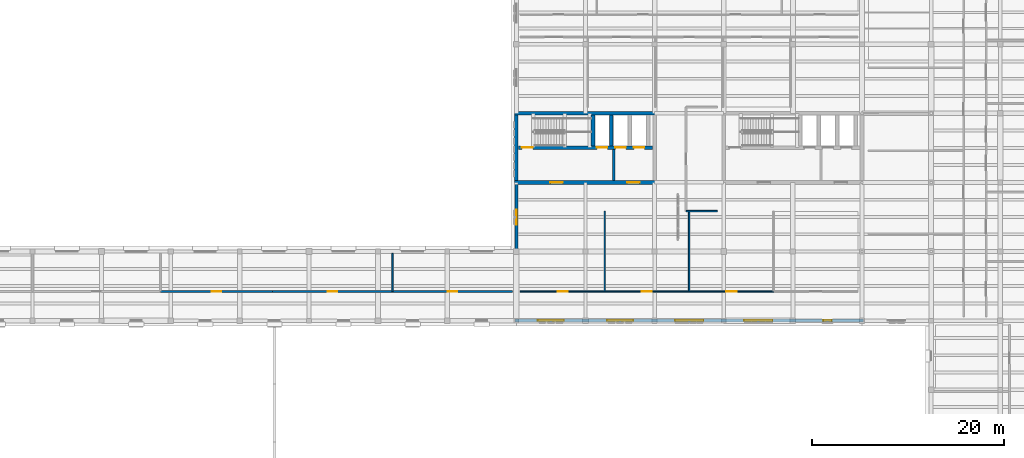
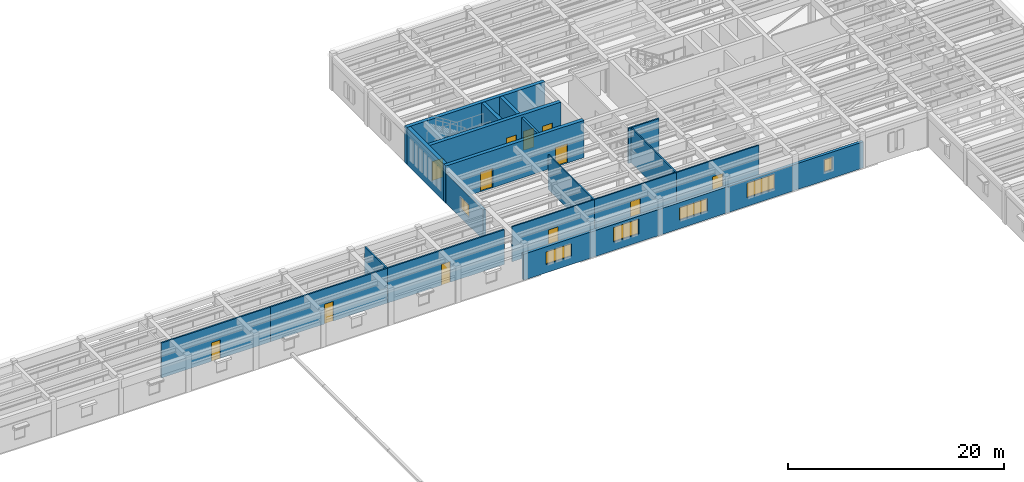
# One storey, part 15 of 27: 19 walls, 12 doors, 6 windows, 18 openings.
"""IFC4 building model written with IfcOpenShell, lengths in metres."""

from ifc_helpers import new_model, si_unit, direction, frame, frame_2d, origin, place, context, subcontext, project, spatial, rectangle, extrude, material, layer, layer_set, type_object, element, fill, save


model = new_model("IFC4")

# Units and contexts
model_context = context("Model", 3, precision=1e-05, world=origin(), true_north=direction((0.0, 1.0)))
body_context = subcontext(model_context, "Body", "Model", "MODEL_VIEW")
ifc_project = project(units=[si_unit("LENGTHUNIT", "METRE"), si_unit("AREAUNIT", "SQUARE_METRE"), si_unit("VOLUMEUNIT", "CUBIC_METRE"), si_unit("PLANEANGLEUNIT", "RADIAN"), si_unit("MASSUNIT", "GRAM", prefix="KILO")], contexts=[model_context])

# Site, building, storey
site_placement = place(None, origin())
site = spatial("IfcSite", under=ifc_project, at=site_placement, CompositionType="ELEMENT")
building_placement = place(site_placement, origin())
building = spatial("IfcBuilding", under=site, at=building_placement, Name="Mithqara Police Headquarters", CompositionType="ELEMENT")
storey_placement = place(building_placement, frame((0.0, 0.0, 18.0)))
storey = spatial("IfcBuildingStorey", under=building, at=storey_placement, Name="L04", CompositionType="ELEMENT", Elevation=18.0)

# Wall
ifc_material_1 = material(Name="Concrete C40/50", Category="concrete")
ifc_layer_1 = layer(ifc_material_1, 0.239990234375, Name="Concrete C40/50")
ifc_layer_set_1 = layer_set([ifc_layer_1], Name="Concrete C40/50")
wall_type_1 = type_object("IfcWallType", Name="CORE LOBBY WALL 240", PredefinedType="SOLIDWALL", material=ifc_layer_set_1)
wall_1_placement = place(storey_placement, frame((118.72998046875, 93.18994140625, 0.0), z_axis=(0.0, 0.0, 1.0), x_axis=(0.0, 1.0, 0.0)))
element("IfcWall", 1, at=wall_1_placement, inside=storey, type_object=wall_type_1, Name="Core C1 Command West Firefighting Lobby Separation Wall L04", PredefinedType="SOLIDWALL", context=body_context, shape_type="SweptSolid", body=[
    extrude(rectangle(XDim=3.239990234375, YDim=0.239990234375, at=frame_2d((1.6201171875, 0.0))), origin(), (0.0, 0.0, 1.0), 3.909912109375),
])

# Wall, opening, window
ifc_material_2 = material(Name="Ochre masonry cavity wall, 35 MPa", Category="masonry")
ifc_layer_2 = layer(ifc_material_2, 0.300048828125, Name="Ochre masonry cavity wall, 35 MPa")
ifc_layer_set_2 = layer_set([ifc_layer_2], Name="Ochre masonry cavity wall, 35 MPa")
wall_type_2 = type_object("IfcWallType", Name="EXT WALL OCHRE BRICK300", PredefinedType="SOLIDWALL", material=ifc_layer_set_2)
wall_2_placement = place(storey_placement, frame((108.60009765625, 92.81005859375, 0.0), z_axis=(0.0, 0.0, 1.0), x_axis=(0.0, -1.0, 0.0)))
wall_2 = element("IfcWall", 2, at=wall_2_placement, inside=storey, type_object=wall_type_2, Name="L04 Exterior Wall 7.2", PredefinedType="SOLIDWALL", context=body_context, shape_type="SweptSolid", body=[
    extrude(rectangle(XDim=6.860107421875, YDim=0.300048828125, at=frame_2d((3.43017578125, 0.0))), origin(), (0.0, 0.0, 1.0), 3.389892578125),
])
opening_1_placement = place(wall_2_placement, frame((2.6298828125, 0.0, 0.949951171875)))
opening_1 = element("IfcOpeningElement", 3, at=opening_1_placement, cuts=wall_2, Name="Opening W-26", PredefinedType="OPENING", context=body_context, shape_type="SweptSolid", body=[
    extrude(rectangle(XDim=1.60009765625, YDim=1.39990234375, at=frame_2d((0.800048828125, 0.699951171875))), frame((0.0, 0.16015625, 0.0), z_axis=(0.0, -1.0, 0.0), x_axis=(1.0, 0.0, 0.0)), (0.0, 0.0, 1.0), 0.320068359375),
])
ifc_material_3 = material(Name="Spectrally selective double low-e glass", Category="glass")
window_type_1 = type_object("IfcWindowType", Name="WINDOW 1600X1400", PartitioningType="SINGLE_PANEL", PredefinedType="WINDOW", material=ifc_material_3)
window_1_placement = place(opening_1_placement, origin())
window_1 = element("IfcWindow", 4, at=window_1_placement, inside=storey, type_object=window_type_1, Name="L04 Command Block Screened Window 7.1", OverallHeight=1.39990234375, OverallWidth=1.60009765625, PartitioningType="SINGLE_PANEL", PredefinedType="WINDOW", context=body_context, shape_type="SweptSolid", body=[
    extrude(rectangle(XDim=1.60009765625, YDim=1.39990234375, at=frame_2d((0.800048828125, 0.699951171875))), frame((0.0, 0.030029296875, 0.0), z_axis=(0.0, -1.0, 0.0), x_axis=(1.0, 0.0, 0.0)), (0.0, 0.0, 1.0), 0.06005859375),
])
fill(opening_1, window_1)

# Wall, openings, windows
wall_3_placement = place(storey_placement, frame((108.449951171875, 78.60009765625, 0.0), z_axis=(0.0, 0.0, 1.0), x_axis=(1.0, 0.0, 0.0)))
wall_3 = element("IfcWall", 5, at=wall_3_placement, inside=storey, type_object=wall_type_2, Name="L04 Exterior Wall 14.1", PredefinedType="SOLIDWALL", context=body_context, shape_type="SweptSolid", body=[
    extrude(rectangle(XDim=36.300048828125, YDim=0.300048828125, at=frame_2d((18.14990234375, 0.0))), origin(), (0.0, 0.0, 1.0), 2.93994140625),
])
opening_2_placement = place(wall_3_placement, frame((2.39990234375, 0.0, 0.949951171875)))
opening_2 = element("IfcOpeningElement", 6, at=opening_2_placement, cuts=wall_3, Name="Opening W-51", PredefinedType="OPENING", context=body_context, shape_type="SweptSolid", body=[
    extrude(rectangle(XDim=2.699951171875, YDim=1.39990234375, at=frame_2d((1.35009765625, 0.699951171875))), frame((0.0, 0.16015625, 0.0), z_axis=(0.0, -1.0, 0.0), x_axis=(1.0, 0.0, 0.0)), (0.0, 0.0, 1.0), 0.320068359375),
])
opening_3_placement = place(wall_3_placement, frame((9.60009765625, 0.0, 0.949951171875)))
opening_3 = element("IfcOpeningElement", 7, at=opening_3_placement, cuts=wall_3, Name="Opening W-52", PredefinedType="OPENING", context=body_context, shape_type="SweptSolid", body=[
    extrude(rectangle(XDim=2.699951171875, YDim=1.64990234375, at=frame_2d((1.35009765625, 0.824951171875))), frame((0.0, 0.16015625, 0.0), z_axis=(0.0, -1.0, 0.0), x_axis=(1.0, 0.0, 0.0)), (0.0, 0.0, 1.0), 0.320068359375),
])
opening_4_placement = place(wall_3_placement, frame((16.675048828125, 0.0, 0.949951171875)))
opening_4 = element("IfcOpeningElement", 8, at=opening_4_placement, cuts=wall_3, Name="Opening W-56", PredefinedType="OPENING", context=body_context, shape_type="SweptSolid", body=[
    extrude(rectangle(XDim=2.949951171875, YDim=1.39990234375, at=frame_2d((1.47509765625, 0.699951171875))), frame((0.0, 0.16015625, 0.0), z_axis=(0.0, -1.0, 0.0), x_axis=(1.0, 0.0, 0.0)), (0.0, 0.0, 1.0), 0.320068359375),
])
opening_5_placement = place(wall_3_placement, frame((23.875, 0.0, 0.949951171875)))
opening_5 = element("IfcOpeningElement", 9, at=opening_5_placement, cuts=wall_3, Name="Opening W-57", PredefinedType="OPENING", context=body_context, shape_type="SweptSolid", body=[
    extrude(rectangle(XDim=2.949951171875, YDim=1.64990234375, at=frame_2d((1.47509765625, 0.824951171875))), frame((0.0, 0.16015625, 0.0), z_axis=(0.0, -1.0, 0.0), x_axis=(1.0, 0.0, 0.0)), (0.0, 0.0, 1.0), 0.320068359375),
])
opening_6_placement = place(wall_3_placement, frame((32.125, 0.0, 0.949951171875)))
opening_6 = element("IfcOpeningElement", 10, at=opening_6_placement, cuts=wall_3, Name="Opening W-01", PredefinedType="OPENING", context=body_context, shape_type="SweptSolid", body=[
    extrude(rectangle(XDim=0.85009765625, YDim=1.39990234375, at=frame_2d((0.425048828125, 0.699951171875))), frame((0.0, 0.16015625, 0.0), z_axis=(0.0, -1.0, 0.0), x_axis=(1.0, 0.0, 0.0)), (0.0, 0.0, 1.0), 0.320068359375),
])
window_type_2 = type_object("IfcWindowType", Name="WINDOW 2700X1400", PartitioningType="DOUBLE_PANEL_VERTICAL", PredefinedType="WINDOW", material=ifc_material_3)
window_2_placement = place(opening_2_placement, origin())
window_2 = element("IfcWindow", 11, at=window_2_placement, inside=storey, type_object=window_type_2, Name="L04 Command Block Screened Window 14.1", OverallHeight=1.39990234375, OverallWidth=2.699951171875, PartitioningType="SINGLE_PANEL", PredefinedType="WINDOW", context=body_context, shape_type="SweptSolid", body=[
    extrude(rectangle(XDim=2.699951171875, YDim=1.39990234375, at=frame_2d((1.35009765625, 0.699951171875))), frame((0.0, 0.030029296875, 0.0), z_axis=(0.0, -1.0, 0.0), x_axis=(1.0, 0.0, 0.0)), (0.0, 0.0, 1.0), 0.06005859375),
])
fill(opening_2, window_2)
window_type_3 = type_object("IfcWindowType", Name="WINDOW 2700X1650", PartitioningType="DOUBLE_PANEL_VERTICAL", PredefinedType="WINDOW", material=ifc_material_3)
window_3_placement = place(opening_3_placement, origin())
window_3 = element("IfcWindow", 12, at=window_3_placement, inside=storey, type_object=window_type_3, Name="L04 Command Block Screened Window 14.2", OverallHeight=1.64990234375, OverallWidth=2.699951171875, PartitioningType="SINGLE_PANEL", PredefinedType="WINDOW", context=body_context, shape_type="SweptSolid", body=[
    extrude(rectangle(XDim=2.699951171875, YDim=1.64990234375, at=frame_2d((1.35009765625, 0.824951171875))), frame((0.0, 0.030029296875, 0.0), z_axis=(0.0, -1.0, 0.0), x_axis=(1.0, 0.0, 0.0)), (0.0, 0.0, 1.0), 0.06005859375),
])
fill(opening_3, window_3)
window_type_4 = type_object("IfcWindowType", Name="WINDOW 2950X1400", PartitioningType="DOUBLE_PANEL_VERTICAL", PredefinedType="WINDOW", material=ifc_material_3)
window_4_placement = place(opening_4_placement, origin())
window_4 = element("IfcWindow", 13, at=window_4_placement, inside=storey, type_object=window_type_4, Name="L04 Command Block Screened Window 14.3", OverallHeight=1.39990234375, OverallWidth=2.949951171875, PartitioningType="SINGLE_PANEL", PredefinedType="WINDOW", context=body_context, shape_type="SweptSolid", body=[
    extrude(rectangle(XDim=2.949951171875, YDim=1.39990234375, at=frame_2d((1.47509765625, 0.699951171875))), frame((0.0, 0.030029296875, 0.0), z_axis=(0.0, -1.0, 0.0), x_axis=(1.0, 0.0, 0.0)), (0.0, 0.0, 1.0), 0.06005859375),
])
fill(opening_4, window_4)
window_type_5 = type_object("IfcWindowType", Name="WINDOW 2950X1650", PartitioningType="DOUBLE_PANEL_VERTICAL", PredefinedType="WINDOW", material=ifc_material_3)
window_5_placement = place(opening_5_placement, origin())
window_5 = element("IfcWindow", 14, at=window_5_placement, inside=storey, type_object=window_type_5, Name="L04 Command Block Screened Window 14.4", OverallHeight=1.64990234375, OverallWidth=2.949951171875, PartitioningType="SINGLE_PANEL", PredefinedType="WINDOW", context=body_context, shape_type="SweptSolid", body=[
    extrude(rectangle(XDim=2.949951171875, YDim=1.64990234375, at=frame_2d((1.47509765625, 0.824951171875))), frame((0.0, 0.030029296875, 0.0), z_axis=(0.0, -1.0, 0.0), x_axis=(1.0, 0.0, 0.0)), (0.0, 0.0, 1.0), 0.06005859375),
])
fill(opening_5, window_5)
window_type_6 = type_object("IfcWindowType", Name="WINDOW 850X1400", PartitioningType="SINGLE_PANEL", PredefinedType="WINDOW", material=ifc_material_3)
window_6_placement = place(opening_6_placement, origin())
window_6 = element("IfcWindow", 15, at=window_6_placement, inside=storey, type_object=window_type_6, Name="L04 Command Block Screened Window 14.5", OverallHeight=1.39990234375, OverallWidth=0.85009765625, PartitioningType="SINGLE_PANEL", PredefinedType="WINDOW", context=body_context, shape_type="SweptSolid", body=[
    extrude(rectangle(XDim=0.85009765625, YDim=1.39990234375, at=frame_2d((0.425048828125, 0.699951171875))), frame((0.0, 0.030029296875, 0.0), z_axis=(0.0, -1.0, 0.0), x_axis=(1.0, 0.0, 0.0)), (0.0, 0.0, 1.0), 0.06005859375),
])
fill(opening_6, window_6)

# Wall, opening, door
ifc_material_4 = material(Name="Gypsum acoustic stud partition", Category="gypsum")
ifc_layer_3 = layer(ifc_material_4, 0.139892578125, Name="Gypsum acoustic stud partition")
ifc_layer_set_3 = layer_set([ifc_layer_3], Name="Gypsum acoustic stud partition")
wall_type_3 = type_object("IfcWallType", Name="PART WALL 140", PredefinedType="PARTITIONING", material=ifc_layer_set_3)
wall_4_placement = place(storey_placement, frame((109.02001953125, 81.639892578125, 0.0), z_axis=(0.0, 0.0, 1.0), x_axis=(1.0, 0.0, 0.0)))
wall_4 = element("IfcWall", 16, at=wall_4_placement, inside=storey, type_object=wall_type_3, Name="L04 Corridor Wall Financial Crime Investigation Office", PredefinedType="PARTITIONING", context=body_context, shape_type="SweptSolid", body=[
    extrude(rectangle(XDim=8.7900390625, YDim=0.139892578125, at=frame_2d((4.39501953125, 0.0))), origin(), (0.0, 0.0, 1.0), 3.93994140625),
])
opening_7_placement = place(wall_4_placement, frame((3.875, 0.0, 0.0)))
opening_7 = element("IfcOpeningElement", 17, at=opening_7_placement, cuts=wall_4, Name="Opening D-08", PredefinedType="OPENING", context=body_context, shape_type="SweptSolid", body=[
    extrude(rectangle(XDim=1.0400390625, YDim=2.219970703125, at=frame_2d((0.52001953125, 1.10986328125))), frame((0.0, 0.080078125, 0.0), z_axis=(0.0, -1.0, 0.0), x_axis=(1.0, 0.0, 0.0)), (0.0, 0.0, 1.0), 0.159912109375),
])
ifc_material_5 = material(Name="Acoustic solid-core timber leaf", Category="wood")
door_type_1 = type_object("IfcDoorType", Name="INT DOOR 1040X2220", OperationType="NOTDEFINED", PredefinedType="DOOR", material=ifc_material_5)
door_1_placement = place(opening_7_placement, origin())
door_1 = element("IfcDoor", 18, at=door_1_placement, inside=storey, type_object=door_type_1, Name="Financial Crime Investigation Office Entry Door", OperationType="SINGLE_SWING_LEFT", OverallHeight=2.219970703125, OverallWidth=1.0400390625, PredefinedType="DOOR", context=body_context, shape_type="SweptSolid", body=[
    extrude(rectangle(XDim=1.0400390625, YDim=2.219970703125, at=frame_2d((0.52001953125, 1.10986328125))), frame((0.0, 0.02490234375, 0.0), z_axis=(0.0, -1.0, 0.0), x_axis=(1.0, 0.0, 0.0)), (0.0, 0.0, 1.0), 0.050048828125),
])
fill(opening_7, door_1)

# Wall
wall_5_placement = place(storey_placement, frame((117.81005859375, 81.639892578125, 0.0), z_axis=(0.0, 0.0, 1.0), x_axis=(0.0, 1.0, 0.0)))
element("IfcWall", 19, at=wall_5_placement, inside=storey, type_object=wall_type_3, Name="L04 Room Partition Financial Crime Investigation Office", PredefinedType="PARTITIONING", context=body_context, shape_type="SweptSolid", body=[
    extrude(rectangle(XDim=8.360107421875, YDim=0.139892578125, at=frame_2d((4.18017578125, 0.0))), origin(), (0.0, 0.0, 1.0), 3.93994140625),
])

# Wall, opening, door
wall_6_placement = place(storey_placement, frame((117.81005859375, 81.639892578125, 0.0), z_axis=(0.0, 0.0, 1.0), x_axis=(1.0, 0.0, 0.0)))
wall_6 = element("IfcWall", 20, at=wall_6_placement, inside=storey, type_object=wall_type_3, Name="L04 Corridor Wall Anti-Fraud Taskforce Room", PredefinedType="PARTITIONING", context=body_context, shape_type="SweptSolid", body=[
    extrude(rectangle(XDim=8.7900390625, YDim=0.139892578125, at=frame_2d((4.39501953125, 0.0))), origin(), (0.0, 0.0, 1.0), 3.93994140625),
])
opening_8_placement = place(wall_6_placement, frame((3.875, 0.0, 0.0)))
opening_8 = element("IfcOpeningElement", 21, at=opening_8_placement, cuts=wall_6, Name="Opening D-09", PredefinedType="OPENING", context=body_context, shape_type="SweptSolid", body=[
    extrude(rectangle(XDim=1.0400390625, YDim=2.35009765625, at=frame_2d((0.52001953125, 1.175048828125))), frame((0.0, 0.080078125, 0.0), z_axis=(0.0, -1.0, 0.0), x_axis=(1.0, 0.0, 0.0)), (0.0, 0.0, 1.0), 0.159912109375),
])
door_type_2 = type_object("IfcDoorType", Name="INT DOOR 1040X2350", OperationType="NOTDEFINED", PredefinedType="DOOR", material=ifc_material_5)
door_2_placement = place(opening_8_placement, origin())
door_2 = element("IfcDoor", 22, at=door_2_placement, inside=storey, type_object=door_type_2, Name="Anti-Fraud Taskforce Room Entry Door", OperationType="SINGLE_SWING_RIGHT", OverallHeight=2.35009765625, OverallWidth=1.0400390625, PredefinedType="DOOR", context=body_context, shape_type="SweptSolid", body=[
    extrude(rectangle(XDim=1.0400390625, YDim=2.35009765625, at=frame_2d((0.52001953125, 1.175048828125))), frame((0.0, 0.02490234375, 0.0), z_axis=(0.0, -1.0, 0.0), x_axis=(1.0, 0.0, 0.0)), (0.0, 0.0, 1.0), 0.050048828125),
])
fill(opening_8, door_2)

# Wall
wall_7_placement = place(storey_placement, frame((126.60009765625, 81.639892578125, 0.0), z_axis=(0.0, 0.0, 1.0), x_axis=(0.0, 1.0, 0.0)))
element("IfcWall", 23, at=wall_7_placement, inside=storey, type_object=wall_type_3, Name="L04 Room Partition Anti-Fraud Taskforce Room", PredefinedType="PARTITIONING", context=body_context, shape_type="SweptSolid", body=[
    extrude(rectangle(XDim=8.360107421875, YDim=0.139892578125, at=frame_2d((4.18017578125, 0.0))), origin(), (0.0, 0.0, 1.0), 3.93994140625),
])

# Wall, opening, door
wall_8_placement = place(storey_placement, frame((126.60009765625, 81.639892578125, 0.0), z_axis=(0.0, 0.0, 1.0), x_axis=(1.0, 0.0, 0.0)))
wall_8 = element("IfcWall", 24, at=wall_8_placement, inside=storey, type_object=wall_type_3, Name="L04 Corridor Wall Case Briefing Room", PredefinedType="PARTITIONING", context=body_context, shape_type="SweptSolid", body=[
    extrude(rectangle(XDim=8.789794921875, YDim=0.139892578125, at=frame_2d((4.39501953125, 0.0))), origin(), (0.0, 0.0, 1.0), 3.93994140625),
])
opening_9_placement = place(wall_8_placement, frame((3.844970703125, 0.0, 0.0)))
opening_9 = element("IfcOpeningElement", 25, at=opening_9_placement, cuts=wall_8, Name="Opening D-10", PredefinedType="OPENING", context=body_context, shape_type="SweptSolid", body=[
    extrude(rectangle(XDim=1.10009765625, YDim=2.10009765625, at=frame_2d((0.550048828125, 1.050048828125))), frame((0.0, 0.080078125, 0.0), z_axis=(0.0, -1.0, 0.0), x_axis=(1.0, 0.0, 0.0)), (0.0, 0.0, 1.0), 0.159912109375),
])
door_type_3 = type_object("IfcDoorType", Name="INT DOOR 1100X2100", OperationType="NOTDEFINED", PredefinedType="DOOR", material=ifc_material_5)
door_3_placement = place(opening_9_placement, origin())
door_3 = element("IfcDoor", 26, at=door_3_placement, inside=storey, type_object=door_type_3, Name="Case Briefing Room Entry Door", OperationType="SINGLE_SWING_LEFT", OverallHeight=2.10009765625, OverallWidth=1.10009765625, PredefinedType="DOOR", context=body_context, shape_type="SweptSolid", body=[
    extrude(rectangle(XDim=1.10009765625, YDim=2.10009765625, at=frame_2d((0.550048828125, 1.050048828125))), frame((0.0, 0.02490234375, 0.0), z_axis=(0.0, -1.0, 0.0), x_axis=(1.0, 0.0, 0.0)), (0.0, 0.0, 1.0), 0.050048828125),
])
fill(opening_9, door_3)

# Wall
ifc_layer_4 = layer(ifc_material_4, 0.159912109375, Name="Gypsum acoustic stud partition")
ifc_layer_set_4 = layer_set([ifc_layer_4], Name="Gypsum acoustic stud partition")
wall_type_4 = type_object("IfcWallType", Name="PART WALL 160", PredefinedType="PARTITIONING", material=ifc_layer_set_4)
wall_9_placement = place(storey_placement, frame((126.27001953125, 90.0, 0.0), z_axis=(0.0, 0.0, 1.0), x_axis=(1.0, 0.0, 0.0)))
element("IfcWall", 27, at=wall_9_placement, inside=storey, type_object=wall_type_4, Name="L04 Partition End Closure E0", PredefinedType="PARTITIONING", context=body_context, shape_type="SweptSolid", body=[
    extrude(rectangle(XDim=3.280029296875, YDim=0.159912109375, at=frame_2d((1.64013671875, 0.0))), origin(), (0.0, 0.0, 1.0), 3.93994140625),
])

# Wall, opening, door
wall_10_placement = place(storey_placement, frame((71.544921875, 81.639892578125, 0.0), z_axis=(0.0, 0.0, 1.0), x_axis=(1.0, 0.0, 0.0)))
wall_10 = element("IfcWall", 28, at=wall_10_placement, inside=storey, type_object=wall_type_4, Name="L04 Corridor Wall Investigative Casework Library", PredefinedType="PARTITIONING", context=body_context, shape_type="SweptSolid", body=[
    extrude(rectangle(XDim=11.64501953125, YDim=0.159912109375, at=frame_2d((5.822509765625, 0.0))), origin(), (0.0, 0.0, 1.0), 3.93994140625),
])
opening_10_placement = place(wall_10_placement, frame((5.33251953125, 0.0, 0.0)))
opening_10 = element("IfcOpeningElement", 29, at=opening_10_placement, cuts=wall_10, Name="Opening D-04", PredefinedType="OPENING", context=body_context, shape_type="SweptSolid", body=[
    extrude(rectangle(XDim=0.97998046875, YDim=2.10009765625, at=frame_2d((0.489990234375, 1.050048828125))), frame((0.0, 0.08984375, 0.0), z_axis=(0.0, -1.0, 0.0), x_axis=(1.0, 0.0, 0.0)), (0.0, 0.0, 1.0), 0.179931640625),
])
door_type_4 = type_object("IfcDoorType", Name="INT DOOR 980X2100", OperationType="NOTDEFINED", PredefinedType="DOOR", material=ifc_material_5)
door_4_placement = place(opening_10_placement, origin())
door_4 = element("IfcDoor", 30, at=door_4_placement, inside=storey, type_object=door_type_4, Name="Investigative Casework Library Entry Door", OperationType="SINGLE_SWING_LEFT", OverallHeight=2.10009765625, OverallWidth=0.97998046875, PredefinedType="DOOR", context=body_context, shape_type="SweptSolid", body=[
    extrude(rectangle(XDim=0.97998046875, YDim=2.10009765625, at=frame_2d((0.489990234375, 1.050048828125))), frame((0.0, 0.02490234375, 0.0), z_axis=(0.0, -1.0, 0.0), x_axis=(1.0, 0.0, 0.0)), (0.0, 0.0, 1.0), 0.050048828125),
])
fill(opening_10, door_4)

wall_11_placement = place(storey_placement, frame((83.18994140625, 81.639892578125, 0.0), z_axis=(0.0, 0.0, 1.0), x_axis=(1.0, 0.0, 0.0)))
wall_11 = element("IfcWall", 31, at=wall_11_placement, inside=storey, type_object=wall_type_4, Name="L04 Corridor Wall Evidence Review Room", PredefinedType="PARTITIONING", context=body_context, shape_type="SweptSolid", body=[
    extrude(rectangle(XDim=12.4951171875, YDim=0.159912109375, at=frame_2d((6.24755859375, 0.0))), origin(), (0.0, 0.0, 1.0), 3.93994140625),
])
opening_11_placement = place(wall_11_placement, frame((5.757568359375, 0.0, 0.0)))
opening_11 = element("IfcOpeningElement", 32, at=opening_11_placement, cuts=wall_11, Name="Opening D-05", PredefinedType="OPENING", context=body_context, shape_type="SweptSolid", body=[
    extrude(rectangle(XDim=0.97998046875, YDim=2.219970703125, at=frame_2d((0.489990234375, 1.10986328125))), frame((0.0, 0.08984375, 0.0), z_axis=(0.0, -1.0, 0.0), x_axis=(1.0, 0.0, 0.0)), (0.0, 0.0, 1.0), 0.179931640625),
])
door_type_5 = type_object("IfcDoorType", Name="INT DOOR 980X2220", OperationType="NOTDEFINED", PredefinedType="DOOR", material=ifc_material_5)
door_5_placement = place(opening_11_placement, origin())
door_5 = element("IfcDoor", 33, at=door_5_placement, inside=storey, type_object=door_type_5, Name="Evidence Review Room Entry Door", OperationType="SINGLE_SWING_RIGHT", OverallHeight=2.219970703125, OverallWidth=0.97998046875, PredefinedType="DOOR", context=body_context, shape_type="SweptSolid", body=[
    extrude(rectangle(XDim=0.97998046875, YDim=2.219970703125, at=frame_2d((0.489990234375, 1.10986328125))), frame((0.0, 0.02490234375, 0.0), z_axis=(0.0, -1.0, 0.0), x_axis=(1.0, 0.0, 0.0)), (0.0, 0.0, 1.0), 0.050048828125),
])
fill(opening_11, door_5)

# Wall
wall_12_placement = place(storey_placement, frame((95.68505859375, 81.639892578125, 0.0), z_axis=(0.0, 0.0, 1.0), x_axis=(0.0, 1.0, 0.0)))
element("IfcWall", 34, at=wall_12_placement, inside=storey, type_object=wall_type_4, Name="L04 Room Partition Evidence Review Room", PredefinedType="PARTITIONING", context=body_context, shape_type="SweptSolid", body=[
    extrude(rectangle(XDim=3.980224609375, YDim=0.159912109375, at=frame_2d((1.990234375, 0.0))), origin(), (0.0, 0.0, 1.0), 3.93994140625),
])

# Wall, opening, door
wall_13_placement = place(storey_placement, frame((95.68505859375, 81.639892578125, 0.0), z_axis=(0.0, 0.0, 1.0), x_axis=(1.0, 0.0, 0.0)))
wall_13 = element("IfcWall", 35, at=wall_13_placement, inside=storey, type_object=wall_type_4, Name="L04 Corridor Wall Witness Interview Suite", PredefinedType="PARTITIONING", context=body_context, shape_type="SweptSolid", body=[
    extrude(rectangle(XDim=12.494873046875, YDim=0.159912109375, at=frame_2d((6.24755859375, 0.0))), origin(), (0.0, 0.0, 1.0), 3.93994140625),
])
opening_12_placement = place(wall_13_placement, frame((5.757568359375, 0.0, 0.0)))
opening_12 = element("IfcOpeningElement", 36, at=opening_12_placement, cuts=wall_13, Name="Opening D-06", PredefinedType="OPENING", context=body_context, shape_type="SweptSolid", body=[
    extrude(rectangle(XDim=0.97998046875, YDim=2.35009765625, at=frame_2d((0.489990234375, 1.175048828125))), frame((0.0, 0.08984375, 0.0), z_axis=(0.0, -1.0, 0.0), x_axis=(1.0, 0.0, 0.0)), (0.0, 0.0, 1.0), 0.179931640625),
])
door_type_6 = type_object("IfcDoorType", Name="INT DOOR 980X2350", OperationType="NOTDEFINED", PredefinedType="DOOR", material=ifc_material_5)
door_6_placement = place(opening_12_placement, origin())
door_6 = element("IfcDoor", 37, at=door_6_placement, inside=storey, type_object=door_type_6, Name="Witness Interview Suite Entry Door", OperationType="SINGLE_SWING_LEFT", OverallHeight=2.35009765625, OverallWidth=0.97998046875, PredefinedType="DOOR", context=body_context, shape_type="SweptSolid", body=[
    extrude(rectangle(XDim=0.97998046875, YDim=2.35009765625, at=frame_2d((0.489990234375, 1.175048828125))), frame((0.0, 0.02490234375, 0.0), z_axis=(0.0, -1.0, 0.0), x_axis=(1.0, 0.0, 0.0)), (0.0, 0.0, 1.0), 0.050048828125),
])
fill(opening_12, door_6)

# Wall
ifc_material_6 = material(Name="Concrete C50/60", Category="concrete")
ifc_layer_5 = layer(ifc_material_6, 0.3798828125, Name="Concrete C50/60")
ifc_layer_set_5 = layer_set([ifc_layer_5], Name="Concrete C50/60")
wall_type_5 = type_object("IfcWallType", Name="SHEAR WALL 380", PredefinedType="SHEAR", material=ifc_layer_set_5)
wall_14_placement = place(storey_placement, frame((108.409912109375, 100.199951171875, 0.0), z_axis=(0.0, 0.0, 1.0), x_axis=(1.0, 0.0, 0.0)))
element("IfcWall", 38, at=wall_14_placement, inside=storey, type_object=wall_type_5, Name="Core C1 Command West Shear Wall N", PredefinedType="SHEAR", context=body_context, shape_type="SweptSolid", body=[
    extrude(rectangle(XDim=14.780029296875, YDim=0.3798828125, at=frame_2d((7.39013671875, 0.0))), origin(), (0.0, 0.0, 1.0), 4.199951171875),
])

# Wall, openings, doors
wall_15_placement = place(storey_placement, frame((108.409912109375, 93.0, 0.0), z_axis=(0.0, 0.0, 1.0), x_axis=(1.0, 0.0, 0.0)))
wall_15 = element("IfcWall", 39, at=wall_15_placement, inside=storey, type_object=wall_type_5, Name="Core C1 Command West Shear Wall S", PredefinedType="SHEAR", context=body_context, shape_type="SweptSolid", body=[
    extrude(rectangle(XDim=14.780029296875, YDim=0.3798828125, at=frame_2d((7.39013671875, 0.0))), origin(), (0.0, 0.0, 1.0), 4.199951171875),
])
opening_13_placement = place(wall_15_placement, frame((3.739990234375, 0.0, 0.0)))
opening_13 = element("IfcOpeningElement", 40, at=opening_13_placement, cuts=wall_15, Name="Opening FD-02", PredefinedType="OPENING", context=body_context, shape_type="SweptSolid", body=[
    extrude(rectangle(XDim=1.300048828125, YDim=2.199951171875, at=frame_2d((0.64990234375, 1.10009765625))), frame((0.0, 0.199951171875, 0.0), z_axis=(0.0, -1.0, 0.0), x_axis=(1.0, 0.0, 0.0)), (0.0, 0.0, 1.0), 0.39990234375),
])
opening_14_placement = place(wall_15_placement, frame((11.739990234375, 0.0, 0.0)))
opening_14 = element("IfcOpeningElement", 41, at=opening_14_placement, cuts=wall_15, Name="Opening FD-02", PredefinedType="OPENING", context=body_context, shape_type="SweptSolid", body=[
    extrude(rectangle(XDim=1.300048828125, YDim=2.199951171875, at=frame_2d((0.64990234375, 1.10009765625))), frame((0.0, 0.199951171875, 0.0), z_axis=(0.0, -1.0, 0.0), x_axis=(1.0, 0.0, 0.0)), (0.0, 0.0, 1.0), 0.39990234375),
])
ifc_material_7 = material(Name="Steel S355JR", Category="steel")
door_type_7 = type_object("IfcDoorType", Name="CORE DOOR LOBBY 1300X2200", OperationType="NOTDEFINED", PredefinedType="DOOR", material=ifc_material_7)
door_7_placement = place(opening_13_placement, frame((1.300048828125, 0.0, 0.0), z_axis=(0.0, 0.0, 1.0), x_axis=(-1.0, 0.0, 0.0)))
door_7 = element("IfcDoor", 42, at=door_7_placement, inside=storey, type_object=door_type_7, Name="Core C1 Command West FF Lobby Fire Door L04", OperationType="SINGLE_SWING_LEFT", OverallHeight=2.199951171875, OverallWidth=1.300048828125, PredefinedType="DOOR", context=body_context, shape_type="SweptSolid", body=[
    extrude(rectangle(XDim=1.300048828125, YDim=2.199951171875, at=frame_2d((0.64990234375, 1.10009765625))), frame((0.0, 0.02490234375, 0.0), z_axis=(0.0, -1.0, 0.0), x_axis=(1.0, 0.0, 0.0)), (0.0, 0.0, 1.0), 0.050048828125),
])
fill(opening_13, door_7)
door_8_placement = place(opening_14_placement, frame((1.300048828125, 0.0, 0.0), z_axis=(0.0, 0.0, 1.0), x_axis=(-1.0, 0.0, 0.0)))
door_8 = element("IfcDoor", 43, at=door_8_placement, inside=storey, type_object=door_type_7, Name="Core C1 Command West PA Lobby Fire Door L04", OperationType="SINGLE_SWING_RIGHT", OverallHeight=2.199951171875, OverallWidth=1.300048828125, PredefinedType="DOOR", context=body_context, shape_type="SweptSolid", body=[
    extrude(rectangle(XDim=1.300048828125, YDim=2.199951171875, at=frame_2d((0.64990234375, 1.10009765625))), frame((0.0, 0.02490234375, 0.0), z_axis=(0.0, -1.0, 0.0), x_axis=(1.0, 0.0, 0.0)), (0.0, 0.0, 1.0), 0.050048828125),
])
fill(opening_14, door_8)

# Wall
wall_16_placement = place(storey_placement, frame((108.60009765625, 93.199951171875, 0.0), z_axis=(0.0, 0.0, 1.0), x_axis=(0.0, 1.0, 0.0)))
element("IfcWall", 44, at=wall_16_placement, inside=storey, type_object=wall_type_5, Name="Core C1 Command West Shear Wall W", PredefinedType="SHEAR", context=body_context, shape_type="SweptSolid", body=[
    extrude(rectangle(XDim=6.800048828125, YDim=0.3798828125, at=frame_2d((3.39990234375, 0.0))), origin(), (0.0, 0.0, 1.0), 4.199951171875),
])

# Wall, openings, doors
wall_17_placement = place(storey_placement, frame((108.800048828125, 96.6201171875, 0.0), z_axis=(0.0, 0.0, 1.0), x_axis=(1.0, 0.0, 0.0)))
wall_17 = element("IfcWall", 45, at=wall_17_placement, inside=storey, type_object=wall_type_5, Name="Core C1 Command West Shear Wall M", PredefinedType="SHEAR", context=body_context, shape_type="SweptSolid", body=[
    extrude(rectangle(XDim=14.0, YDim=0.3798828125, at=frame_2d((7.0, 0.0))), origin(), (0.0, 0.0, 1.0), 4.199951171875),
])
opening_15_placement = place(wall_17_placement, frame((8.18994140625, 0.0, 0.0)))
opening_15 = element("IfcOpeningElement", 46, at=opening_15_placement, cuts=wall_17, Name="Opening LD-01", PredefinedType="OPENING", context=body_context, shape_type="SweptSolid", body=[
    extrude(rectangle(XDim=1.10009765625, YDim=2.14990234375, at=frame_2d((0.550048828125, 1.074951171875))), frame((0.0, 0.199951171875, 0.0), z_axis=(0.0, -1.0, 0.0), x_axis=(1.0, 0.0, 0.0)), (0.0, 0.0, 1.0), 0.39990234375),
])
opening_16_placement = place(wall_17_placement, frame((10.110107421875, 0.0, 0.0)))
opening_16 = element("IfcOpeningElement", 47, at=opening_16_placement, cuts=wall_17, Name="Opening LD-01", PredefinedType="OPENING", context=body_context, shape_type="SweptSolid", body=[
    extrude(rectangle(XDim=1.10009765625, YDim=2.14990234375, at=frame_2d((0.550048828125, 1.074951171875))), frame((0.0, 0.199951171875, 0.0), z_axis=(0.0, -1.0, 0.0), x_axis=(1.0, 0.0, 0.0)), (0.0, 0.0, 1.0), 0.39990234375),
])
opening_17_placement = place(wall_17_placement, frame((12.030029296875, 0.0, 0.0)))
opening_17 = element("IfcOpeningElement", 48, at=opening_17_placement, cuts=wall_17, Name="Opening LD-01", PredefinedType="OPENING", context=body_context, shape_type="SweptSolid", body=[
    extrude(rectangle(XDim=1.10009765625, YDim=2.14990234375, at=frame_2d((0.550048828125, 1.074951171875))), frame((0.0, 0.199951171875, 0.0), z_axis=(0.0, -1.0, 0.0), x_axis=(1.0, 0.0, 0.0)), (0.0, 0.0, 1.0), 0.39990234375),
])
opening_18_placement = place(wall_17_placement, frame((0.375, 0.0, 0.0)))
opening_18 = element("IfcOpeningElement", 49, at=opening_18_placement, cuts=wall_17, Name="Opening FD-01", PredefinedType="OPENING", context=body_context, shape_type="SweptSolid", body=[
    extrude(rectangle(XDim=1.14990234375, YDim=2.14990234375, at=frame_2d((0.574951171875, 1.074951171875))), frame((0.0, 0.199951171875, 0.0), z_axis=(0.0, -1.0, 0.0), x_axis=(1.0, 0.0, 0.0)), (0.0, 0.0, 1.0), 0.39990234375),
])
door_type_8 = type_object("IfcDoorType", Name="CORE DOOR STAIR 1150X2150", OperationType="NOTDEFINED", PredefinedType="DOOR", material=ifc_material_7)
door_9_placement = place(opening_18_placement, origin())
door_9 = element("IfcDoor", 50, at=door_9_placement, inside=storey, type_object=door_type_8, Name="Stair ST-01 Fire Door L04", OperationType="SINGLE_SWING_LEFT", OverallHeight=2.14990234375, OverallWidth=1.14990234375, PredefinedType="DOOR", context=body_context, shape_type="SweptSolid", body=[
    extrude(rectangle(XDim=1.14990234375, YDim=2.14990234375, at=frame_2d((0.574951171875, 1.074951171875))), frame((0.0, 0.02490234375, 0.0), z_axis=(0.0, -1.0, 0.0), x_axis=(1.0, 0.0, 0.0)), (0.0, 0.0, 1.0), 0.050048828125),
])
fill(opening_18, door_9)
door_type_9 = type_object("IfcDoorType", Name="LIFT DOOR 1100X2150", OperationType="DOUBLE_DOOR_SLIDING", PredefinedType="DOOR", material=ifc_material_7)
door_10_placement = place(opening_15_placement, frame((1.10009765625, 0.0, 0.0), z_axis=(0.0, 0.0, 1.0), x_axis=(-1.0, 0.0, 0.0)))
door_10 = element("IfcDoor", 51, at=door_10_placement, inside=storey, type_object=door_type_9, Name="Lift Landing Door FL-01-L04", OperationType="DOUBLE_DOOR_SLIDING", OverallHeight=2.14990234375, OverallWidth=1.10009765625, PredefinedType="DOOR", context=body_context, shape_type="SweptSolid", body=[
    extrude(rectangle(XDim=1.10009765625, YDim=2.14990234375, at=frame_2d((0.550048828125, 1.074951171875))), frame((0.0, 0.02490234375, 0.0), z_axis=(0.0, -1.0, 0.0), x_axis=(1.0, 0.0, 0.0)), (0.0, 0.0, 1.0), 0.050048828125),
])
fill(opening_15, door_10)
door_11_placement = place(opening_16_placement, frame((1.10009765625, 0.0, 0.0), z_axis=(0.0, 0.0, 1.0), x_axis=(-1.0, 0.0, 0.0)))
door_11 = element("IfcDoor", 52, at=door_11_placement, inside=storey, type_object=door_type_9, Name="Lift Landing Door LP-01-L04", OperationType="DOUBLE_DOOR_SLIDING", OverallHeight=2.14990234375, OverallWidth=1.10009765625, PredefinedType="DOOR", context=body_context, shape_type="SweptSolid", body=[
    extrude(rectangle(XDim=1.10009765625, YDim=2.14990234375, at=frame_2d((0.550048828125, 1.074951171875))), frame((0.0, 0.02490234375, 0.0), z_axis=(0.0, -1.0, 0.0), x_axis=(1.0, 0.0, 0.0)), (0.0, 0.0, 1.0), 0.050048828125),
])
fill(opening_16, door_11)
door_12_placement = place(opening_17_placement, frame((1.10009765625, 0.0, 0.0), z_axis=(0.0, 0.0, 1.0), x_axis=(-1.0, 0.0, 0.0)))
door_12 = element("IfcDoor", 53, at=door_12_placement, inside=storey, type_object=door_type_9, Name="Lift Landing Door LP-02-L04", OperationType="DOUBLE_DOOR_SLIDING", OverallHeight=2.14990234375, OverallWidth=1.10009765625, PredefinedType="DOOR", context=body_context, shape_type="SweptSolid", body=[
    extrude(rectangle(XDim=1.10009765625, YDim=2.14990234375, at=frame_2d((0.550048828125, 1.074951171875))), frame((0.0, 0.02490234375, 0.0), z_axis=(0.0, -1.0, 0.0), x_axis=(1.0, 0.0, 0.0)), (0.0, 0.0, 1.0), 0.050048828125),
])
fill(opening_17, door_12)

# Walls
for number, where, z_axis, x_axis, name in (
    (54, (116.580078125, 96.820068359375, 0.0), (0.0, 0.0, 1.0), (0.0, 1.0, 0.0), "Core C1 Command West Shear Wall X"),
    (55, (118.5, 96.820068359375, 0.0), (0.0, 0.0, 1.0), (0.0, 1.0, 0.0), "Core C1 Command West Shear Wall L1"),
):
    element("IfcWall", number, at=place(storey_placement, frame(where, z_axis=z_axis, x_axis=x_axis)), inside=storey, type_object=wall_type_5, Name=name, PredefinedType="SHEAR", context=body_context, shape_type="SweptSolid", body=[
        extrude(rectangle(XDim=3.179931640625, YDim=0.3798828125, at=frame_2d((1.58984375, 0.0))), origin(), (0.0, 0.0, 1.0), 4.199951171875),
    ])

save(model, "model.ifc")
